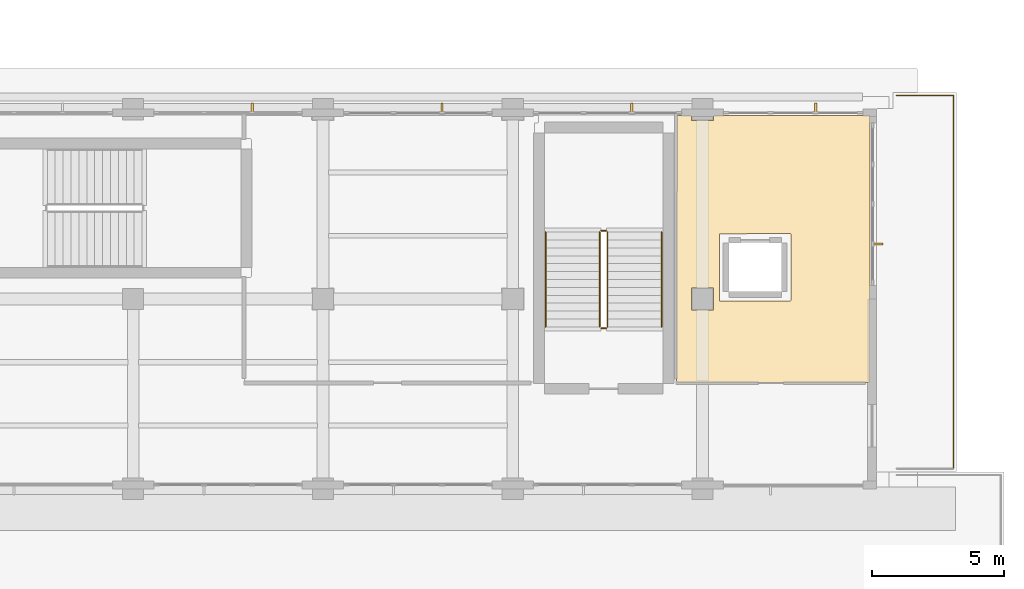
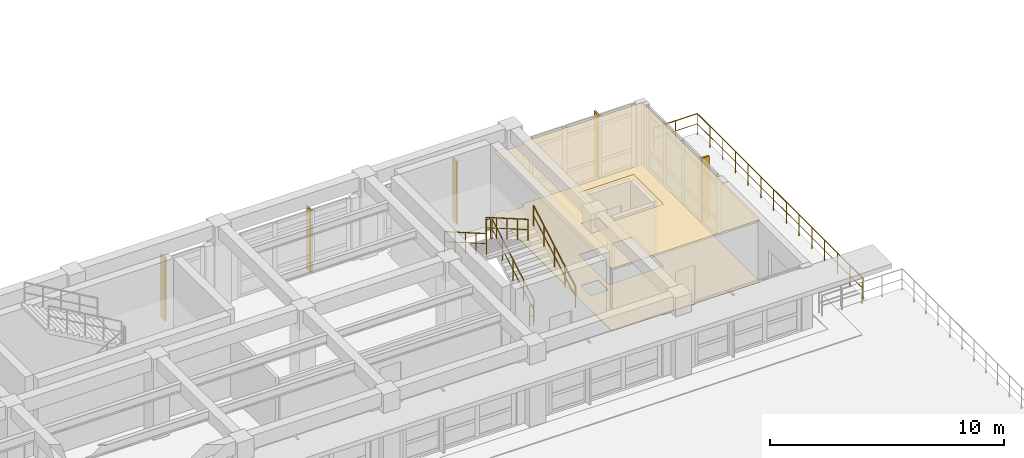
# One storey, part 63 of 67: 8 railings, 5 shading devices, 2 coverings.
"""IFC4 building model written with IfcOpenShell, lengths in metres."""

from ifc_helpers import new_model, si_unit, direction, frame, origin, origin_2d, place, context, subcontext, project, spatial, polyline, rectangle, circle, outline, extrude, material, layer, layer_set, material_profile, profile_set, type_object, element, save


model = new_model("IFC4")

# Units and contexts
model_context = context("Model", 3, precision=1e-05, world=origin(), true_north=direction((0.0, 1.0)))
body_context = subcontext(model_context, "Body", "Model", "MODEL_VIEW")
ifc_project = project(units=[si_unit("LENGTHUNIT", "METRE"), si_unit("AREAUNIT", "SQUARE_METRE"), si_unit("VOLUMEUNIT", "CUBIC_METRE"), si_unit("PLANEANGLEUNIT", "RADIAN"), si_unit("MASSUNIT", "GRAM", prefix="KILO")], contexts=[model_context])

# Site, building, storey
site_placement = place(None, origin())
site = spatial("IfcSite", under=ifc_project, at=site_placement, CompositionType="ELEMENT")
building_placement = place(site_placement, origin())
building = spatial("IfcBuilding", under=site, at=building_placement, Name="Solenvale Faculty of Natural Sciences", CompositionType="ELEMENT")
storey_placement = place(building_placement, frame((0.0, 0.0, 13.5)))
storey = spatial("IfcBuildingStorey", under=building, at=storey_placement, Name="L03", CompositionType="ELEMENT", Elevation=13.5)

# Coverings
ifc_material_1 = material(Name="Acoustic mineral-timber ceiling", Category="wood")
ifc_layer_1 = layer(ifc_material_1, 0.02490234375)
ifc_layer_set_1 = layer_set([ifc_layer_1], Name="Acoustic mineral-timber ceiling")
covering_type_1 = type_object("IfcCoveringType", Name="COV-CEIL-AC25", PredefinedType="CEILING", material=ifc_layer_set_1)
covering_1_placement = place(storey_placement, frame((0.0, 0.0, 3.235107421875)))
element("IfcCovering", 1, at=covering_1_placement, inside=storey, type_object=covering_type_1, Name="L03 Faculty Staff Office Acoustic Ceiling", PredefinedType="CEILING", context=body_context, shape_type="SweptSolid", body=[
    extrude(outline(polyline([(150.25, 47.239990234375), (150.22900390625, 47.2490234375), (150.219970703125, 47.27001953125), (150.22509765625, 57.346923828125), (150.25, 57.360107421875), (150.75390625, 57.35888671875), (150.77392578125, 57.3359375), (150.77490234375, 57.18408203125), (150.783935546875, 57.175048828125), (151.614013671875, 57.175048828125), (151.625, 57.18408203125), (151.6259765625, 57.3359375), (151.655029296875, 57.360107421875), (157.547119140625, 57.35498046875), (157.56005859375, 57.330078125), (157.554931640625, 47.2529296875), (157.530029296875, 47.239990234375), (150.25, 47.239990234375)]), holes=[polyline([(154.554931640625, 52.85205078125), (154.544921875, 52.8720703125), (154.52490234375, 52.8798828125), (151.85498046875, 52.8720703125), (151.844970703125, 52.85009765625), (151.85302734375, 50.330078125), (151.875, 50.320068359375), (154.544921875, 50.327880859375), (154.554931640625, 50.35009765625), (154.554931640625, 52.85205078125)]), polyline([(150.785888671875, 50.824951171875), (150.77490234375, 50.81396484375), (150.778076171875, 49.97802734375), (151.6220703125, 49.97802734375), (151.6220703125, 50.822021484375), (150.785888671875, 50.824951171875)])]), origin(), (0.0, 0.0, 1.0), 0.02490234375),
])
ifc_material_2 = material(Name="Polished slate terrazzo flooring", Category="masonry")
ifc_layer_2 = layer(ifc_material_2, 0.01806640625)
ifc_layer_set_2 = layer_set([ifc_layer_2], Name="Polished slate terrazzo flooring")
covering_type_2 = type_object("IfcCoveringType", Name="COV-FLR-TRZ18", PredefinedType="FLOORING", material=ifc_layer_set_2)
covering_2_placement = place(storey_placement, origin())
element("IfcCovering", 2, at=covering_2_placement, inside=storey, type_object=covering_type_2, Name="L03 Faculty Staff Office Floor Finish", PredefinedType="FLOORING", context=body_context, shape_type="SweptSolid", body=[
    extrude(outline(polyline([(150.25, 47.239990234375), (150.22900390625, 47.2490234375), (150.219970703125, 47.27001953125), (150.22509765625, 57.346923828125), (150.25, 57.360107421875), (150.75390625, 57.35888671875), (150.77392578125, 57.3359375), (150.77490234375, 57.18408203125), (150.783935546875, 57.175048828125), (151.614013671875, 57.175048828125), (151.625, 57.18408203125), (151.6259765625, 57.3359375), (151.655029296875, 57.360107421875), (157.547119140625, 57.35498046875), (157.56005859375, 57.330078125), (157.554931640625, 47.2529296875), (157.530029296875, 47.239990234375), (150.25, 47.239990234375)]), holes=[polyline([(154.554931640625, 52.85205078125), (154.544921875, 52.8720703125), (154.52490234375, 52.8798828125), (151.85498046875, 52.8720703125), (151.844970703125, 52.85009765625), (151.85302734375, 50.330078125), (151.875, 50.320068359375), (154.544921875, 50.327880859375), (154.554931640625, 50.35009765625), (154.554931640625, 52.85205078125)]), polyline([(150.785888671875, 50.824951171875), (150.77490234375, 50.81396484375), (150.778076171875, 49.97802734375), (151.6220703125, 49.97802734375), (151.6220703125, 50.822021484375), (150.785888671875, 50.824951171875)])]), origin(), (0.0, 0.0, 1.0), 0.01806640625),
])

# Railings
ifc_material_3 = material(Name="Stainless steel Grade 304", Category="steel")
railing_type_1 = type_object("IfcRailingType", Name="RL-GRD-1100", PredefinedType="GUARDRAIL", material=ifc_material_3)
railing_1_placement = place(storey_placement, frame((147.60009765625, 49.340087890625, 0.173095703125)))
element("IfcRailing", 3, at=railing_1_placement, inside=storey, type_object=railing_type_1, Name="L03 ST-02 stair guard 1", PredefinedType="GUARDRAIL", context=body_context, shape_type="SweptSolid", body=[
    extrude(circle(Radius=0.02392578125, at=origin_2d()), frame((0.0, 0.0, 1.09619140625), z_axis=(0.0, 0.866178740119, 0.499734319579), x_axis=(-1.0, 0.0, 0.0)), (0.0, 0.0, 1.0), 4.156005859375),
    extrude(circle(Radius=0.01611328125, at=origin_2d()), frame((0.0, 0.0, 0.56005859375), z_axis=(0.0, 0.866178740119, 0.499734319579), x_axis=(-1.0, 0.0, 0.0)), (0.0, 0.0, 1.0), 4.156005859375),
    extrude(circle(Radius=0.02099609375, at=origin_2d()), origin(), (0.0, 0.0, 1.0), 1.072021484375),
    extrude(circle(Radius=0.02099609375, at=origin_2d()), frame((0.0, 0.89990234375, 0.519287109375)), (0.0, 0.0, 1.0), 1.072021484375),
    extrude(circle(Radius=0.02099609375, at=origin_2d()), frame((0.0, 1.7998046875, 1.03857421875)), (0.0, 0.0, 1.0), 1.072021484375),
    extrude(circle(Radius=0.02099609375, at=origin_2d()), frame((0.0, 2.699951171875, 1.5576171875)), (0.0, 0.0, 1.0), 1.072021484375),
    extrude(circle(Radius=0.02099609375, at=origin_2d()), frame((0.0, 3.599853515625, 2.076904296875)), (0.0, 0.0, 1.0), 1.072021484375),
])
railing_2_placement = place(storey_placement, frame((147.550048828125, 52.989990234375, 2.25)))
element("IfcRailing", 4, at=railing_2_placement, inside=storey, type_object=railing_type_1, Name="L03 ST-02 stair guard 2", PredefinedType="GUARDRAIL", context=body_context, shape_type="SweptSolid", body=[
    extrude(circle(Radius=0.02392578125, at=origin_2d()), frame((0.0, 0.0, 1.09619140625), z_axis=(-1.0, 0.0, 0.0), x_axis=(0.0, -1.0, 0.0)), (0.0, 0.0, 1.0), 0.199951171875),
    extrude(circle(Radius=0.01611328125, at=origin_2d()), frame((0.0, 0.0, 0.56005859375), z_axis=(-1.0, 0.0, 0.0), x_axis=(0.0, -1.0, 0.0)), (0.0, 0.0, 1.0), 0.199951171875),
    extrude(circle(Radius=0.02099609375, at=origin_2d()), origin(), (0.0, 0.0, 1.0), 1.072021484375),
    extrude(circle(Radius=0.02099609375, at=origin_2d()), frame((-0.199951171875, 0.0, 0.0)), (0.0, 0.0, 1.0), 1.072021484375),
])
railing_3_placement = place(storey_placement, frame((147.300048828125, 52.93994140625, 2.423095703125)))
element("IfcRailing", 5, at=railing_3_placement, inside=storey, type_object=railing_type_1, Name="L03 ST-02 stair guard 3", PredefinedType="GUARDRAIL", context=body_context, shape_type="SweptSolid", body=[
    extrude(circle(Radius=0.02392578125, at=origin_2d()), frame((0.0, 0.0, 1.09619140625), z_axis=(0.0, -0.866178740119, 0.499734319579), x_axis=(1.0, 0.0, 0.0)), (0.0, 0.0, 1.0), 4.156005859375),
    extrude(circle(Radius=0.01611328125, at=origin_2d()), frame((0.0, 0.0, 0.56005859375), z_axis=(0.0, -0.866178740119, 0.499734319579), x_axis=(1.0, 0.0, 0.0)), (0.0, 0.0, 1.0), 4.156005859375),
    extrude(circle(Radius=0.02099609375, at=origin_2d()), origin(), (0.0, 0.0, 1.0), 1.072021484375),
    extrude(circle(Radius=0.02099609375, at=origin_2d()), frame((0.0, -0.89990234375, 0.519287109375)), (0.0, 0.0, 1.0), 1.072021484375),
    extrude(circle(Radius=0.02099609375, at=origin_2d()), frame((0.0, -1.7998046875, 1.03857421875)), (0.0, 0.0, 1.0), 1.072021484375),
    extrude(circle(Radius=0.02099609375, at=origin_2d()), frame((0.0, -2.699951171875, 1.5576171875)), (0.0, 0.0, 1.0), 1.072021484375),
    extrude(circle(Radius=0.02099609375, at=origin_2d()), frame((0.0, -3.599853515625, 2.076904296875)), (0.0, 0.0, 1.0), 1.072021484375),
])
railing_4_placement = place(storey_placement, frame((147.550048828125, 49.2900390625, 0.0)))
element("IfcRailing", 6, at=railing_4_placement, inside=storey, type_object=railing_type_1, Name="L03 ST-02 stair guard 4", PredefinedType="GUARDRAIL", context=body_context, shape_type="SweptSolid", body=[
    extrude(circle(Radius=0.02392578125, at=origin_2d()), frame((0.0, 0.0, 1.09619140625), z_axis=(-1.0, 0.0, 0.0), x_axis=(0.0, -1.0, 0.0)), (0.0, 0.0, 1.0), 0.199951171875),
    extrude(circle(Radius=0.01611328125, at=origin_2d()), frame((0.0, 0.0, 0.56005859375), z_axis=(-1.0, 0.0, 0.0), x_axis=(0.0, -1.0, 0.0)), (0.0, 0.0, 1.0), 0.199951171875),
    extrude(circle(Radius=0.02099609375, at=origin_2d()), origin(), (0.0, 0.0, 1.0), 1.072021484375),
    extrude(circle(Radius=0.02099609375, at=origin_2d()), frame((-0.199951171875, 0.0, 0.0)), (0.0, 0.0, 1.0), 1.072021484375),
])
railing_type_2 = type_object("IfcRailingType", Name="RL-HND-900", PredefinedType="HANDRAIL", material=ifc_material_3)
railing_5_placement = place(storey_placement, frame((149.64990234375, 49.340087890625, 0.173095703125)))
element("IfcRailing", 7, at=railing_5_placement, inside=storey, type_object=railing_type_2, Name="L03 ST-02 stair handrail 1", PredefinedType="HANDRAIL", context=body_context, shape_type="SweptSolid", body=[
    extrude(circle(Radius=0.02392578125, at=origin_2d()), frame((0.0, 0.0, 1.0732421875), z_axis=(0.0, 0.866178740119, 0.499734319579), x_axis=(-1.0, 0.0, 0.0)), (0.0, 0.0, 1.0), 4.156005859375),
    extrude(circle(Radius=0.01611328125, at=origin_2d()), frame((0.0, 0.0, 0.548583984375), z_axis=(0.0, 0.866178740119, 0.499734319579), x_axis=(-1.0, 0.0, 0.0)), (0.0, 0.0, 1.0), 4.156005859375),
    extrude(circle(Radius=0.02099609375, at=origin_2d()), origin(), (0.0, 0.0, 1.0), 1.049072265625),
    extrude(circle(Radius=0.02099609375, at=origin_2d()), frame((0.0, 0.89990234375, 0.519287109375)), (0.0, 0.0, 1.0), 1.049072265625),
    extrude(circle(Radius=0.02099609375, at=origin_2d()), frame((0.0, 1.7998046875, 1.03857421875)), (0.0, 0.0, 1.0), 1.049072265625),
    extrude(circle(Radius=0.02099609375, at=origin_2d()), frame((0.0, 2.699951171875, 1.5576171875)), (0.0, 0.0, 1.0), 1.049072265625),
    extrude(circle(Radius=0.02099609375, at=origin_2d()), frame((0.0, 3.599853515625, 2.076904296875)), (0.0, 0.0, 1.0), 1.049072265625),
])
railing_6_placement = place(storey_placement, frame((145.25, 52.93994140625, 2.423095703125)))
element("IfcRailing", 8, at=railing_6_placement, inside=storey, type_object=railing_type_2, Name="L03 ST-02 stair handrail 2", PredefinedType="HANDRAIL", context=body_context, shape_type="SweptSolid", body=[
    extrude(circle(Radius=0.02392578125, at=origin_2d()), frame((0.0, 0.0, 1.0732421875), z_axis=(0.0, -0.866178740119, 0.499734319579), x_axis=(1.0, 0.0, 0.0)), (0.0, 0.0, 1.0), 4.156005859375),
    extrude(circle(Radius=0.01611328125, at=origin_2d()), frame((0.0, 0.0, 0.548583984375), z_axis=(0.0, -0.866178740119, 0.499734319579), x_axis=(1.0, 0.0, 0.0)), (0.0, 0.0, 1.0), 4.156005859375),
    extrude(circle(Radius=0.02099609375, at=origin_2d()), origin(), (0.0, 0.0, 1.0), 1.049072265625),
    extrude(circle(Radius=0.02099609375, at=origin_2d()), frame((0.0, -0.89990234375, 0.519287109375)), (0.0, 0.0, 1.0), 1.049072265625),
    extrude(circle(Radius=0.02099609375, at=origin_2d()), frame((0.0, -1.7998046875, 1.03857421875)), (0.0, 0.0, 1.0), 1.049072265625),
    extrude(circle(Radius=0.02099609375, at=origin_2d()), frame((0.0, -2.699951171875, 1.5576171875)), (0.0, 0.0, 1.0), 1.049072265625),
    extrude(circle(Radius=0.02099609375, at=origin_2d()), frame((0.0, -3.599853515625, 2.076904296875)), (0.0, 0.0, 1.0), 1.049072265625),
])
railing_type_3 = type_object("IfcRailingType", Name="RL-TERR-1100", PredefinedType="GUARDRAIL", material=ifc_material_3)
railing_7_placement = place(storey_placement, frame((158.56005859375, 58.1201171875, 0.0)))
element("IfcRailing", 9, at=railing_7_placement, inside=storey, type_object=railing_type_3, Name="L03 Terrace Guardrail 3.3", PredefinedType="GUARDRAIL", context=body_context, shape_type="SweptSolid", body=[
    extrude(circle(Radius=0.02392578125, at=origin_2d()), frame((0.0, 0.0, 1.09619140625), z_axis=(1.0, 0.0, 0.0), x_axis=(0.0, 1.0, 0.0)), (0.0, 0.0, 1.0), 2.159912109375),
    extrude(circle(Radius=0.01611328125, at=origin_2d()), frame((0.0, 0.0, 0.56005859375), z_axis=(1.0, 0.0, 0.0), x_axis=(0.0, 1.0, 0.0)), (0.0, 0.0, 1.0), 2.159912109375),
    extrude(circle(Radius=0.02099609375, at=origin_2d()), origin(), (0.0, 0.0, 1.0), 1.072021484375),
    extrude(circle(Radius=0.02099609375, at=origin_2d()), frame((1.080078125, 0.0, 0.0)), (0.0, 0.0, 1.0), 1.072021484375),
    extrude(circle(Radius=0.02099609375, at=origin_2d()), frame((2.159912109375, 0.0, 0.0)), (0.0, 0.0, 1.0), 1.072021484375),
])
railing_8_placement = place(storey_placement, frame((160.719970703125, 58.1201171875, 0.0)))
element("IfcRailing", 10, at=railing_8_placement, inside=storey, type_object=railing_type_3, Name="L03 Terrace Guardrail 3.4", PredefinedType="GUARDRAIL", context=body_context, shape_type="SweptSolid", body=[
    extrude(circle(Radius=0.02392578125, at=origin_2d()), frame((0.0, 0.0, 1.09619140625), z_axis=(0.0, -1.0, 0.0), x_axis=(1.0, 0.0, 0.0)), (0.0, 0.0, 1.0), 14.16015625),
    extrude(circle(Radius=0.01611328125, at=origin_2d()), frame((0.0, 0.0, 0.56005859375), z_axis=(0.0, -1.0, 0.0), x_axis=(1.0, 0.0, 0.0)), (0.0, 0.0, 1.0), 14.16015625),
    extrude(circle(Radius=0.02099609375, at=origin_2d()), origin(), (0.0, 0.0, 1.0), 1.072021484375),
    extrude(circle(Radius=0.02099609375, at=origin_2d()), frame((0.0, -1.08935546875, 0.0)), (0.0, 0.0, 1.0), 1.072021484375),
    extrude(circle(Radius=0.02099609375, at=origin_2d()), frame((0.0, -2.178466796875, 0.0)), (0.0, 0.0, 1.0), 1.072021484375),
    extrude(circle(Radius=0.02099609375, at=origin_2d()), frame((0.0, -3.267822265625, 0.0)), (0.0, 0.0, 1.0), 1.072021484375),
    extrude(circle(Radius=0.02099609375, at=origin_2d()), frame((0.0, -4.35693359375, 0.0)), (0.0, 0.0, 1.0), 1.072021484375),
    extrude(circle(Radius=0.02099609375, at=origin_2d()), frame((0.0, -5.4462890625, 0.0)), (0.0, 0.0, 1.0), 1.072021484375),
    extrude(circle(Radius=0.02099609375, at=origin_2d()), frame((0.0, -6.535400390625, 0.0)), (0.0, 0.0, 1.0), 1.072021484375),
    extrude(circle(Radius=0.02099609375, at=origin_2d()), frame((0.0, -7.624755859375, 0.0)), (0.0, 0.0, 1.0), 1.072021484375),
    extrude(circle(Radius=0.02099609375, at=origin_2d()), frame((0.0, -8.7138671875, 0.0)), (0.0, 0.0, 1.0), 1.072021484375),
    extrude(circle(Radius=0.02099609375, at=origin_2d()), frame((0.0, -9.80322265625, 0.0)), (0.0, 0.0, 1.0), 1.072021484375),
    extrude(circle(Radius=0.02099609375, at=origin_2d()), frame((0.0, -10.892333984375, 0.0)), (0.0, 0.0, 1.0), 1.072021484375),
    extrude(circle(Radius=0.02099609375, at=origin_2d()), frame((0.0, -11.981689453125, 0.0)), (0.0, 0.0, 1.0), 1.072021484375),
    extrude(circle(Radius=0.02099609375, at=origin_2d()), frame((0.0, -13.07080078125, 0.0)), (0.0, 0.0, 1.0), 1.072021484375),
    extrude(circle(Radius=0.02099609375, at=origin_2d()), frame((0.0, -14.16015625, 0.0)), (0.0, 0.0, 1.0), 1.072021484375),
])

# Shading devices
ifc_material_4 = material(Name="Anodised bronze aluminium", Category="aluminium")
ifc_material_profile = material_profile(ifc_material_4, rectangle(XDim=0.080078125, YDim=0.360107421875, at=origin_2d()), Name="ALU-FIN-80x360")
ifc_profile_set = profile_set([ifc_material_profile], Name="Anodised bronze aluminium")
shading_device_type = type_object("IfcShadingDeviceType", Name="SHD-FIN-360", PredefinedType="JALOUSIE", material=ifc_profile_set)
for number, where, z_axis, x_axis, name in (
    (11, (157.860107421875, 52.489990234375, -0.02001953125), (0.0, 0.0, 1.0), (0.0, 1.0, 0.0), "L03 Vertical Brise-Soleil Fin 2.2"),
    (12, (155.49658203125, 57.659912109375, -0.02001953125), (0.0, 0.0, 1.0), (1.0, 0.0, 0.0), "L03 Vertical Brise-Soleil Fin 3.1"),
    (13, (148.5166015625, 57.659912109375, -0.02001953125), (0.0, 0.0, 1.0), (1.0, 0.0, 0.0), "L03 Vertical Brise-Soleil Fin 3.2"),
    (14, (141.316650390625, 57.659912109375, -0.02001953125), (0.0, 0.0, 1.0), (1.0, 0.0, 0.0), "L03 Vertical Brise-Soleil Fin 3.3"),
    (15, (134.11669921875, 57.659912109375, -0.02001953125), (0.0, 0.0, 1.0), (1.0, 0.0, 0.0), "L03 Vertical Brise-Soleil Fin 3.4"),
):
    element("IfcShadingDevice", number, at=place(storey_placement, frame(where, z_axis=z_axis, x_axis=x_axis)), inside=storey, type_object=shading_device_type, Name=name, PredefinedType="JALOUSIE", context=body_context, shape_type="SweptSolid", body=[
        extrude(rectangle(XDim=0.080078125, YDim=0.360107421875, at=origin_2d()), origin(), (0.0, 0.0, 1.0), 3.280029296875),
    ])

save(model, "model.ifc")
